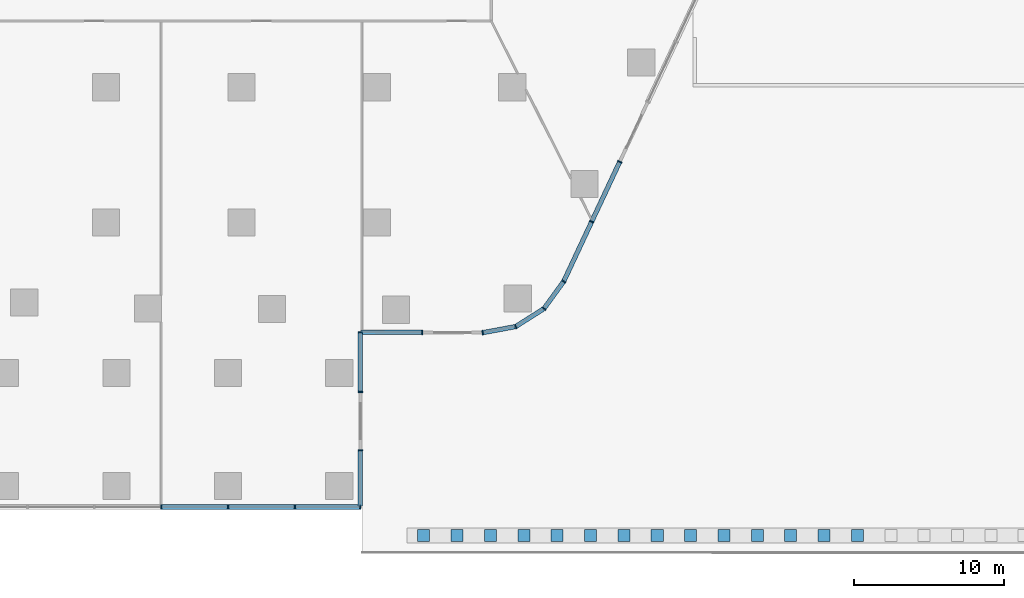
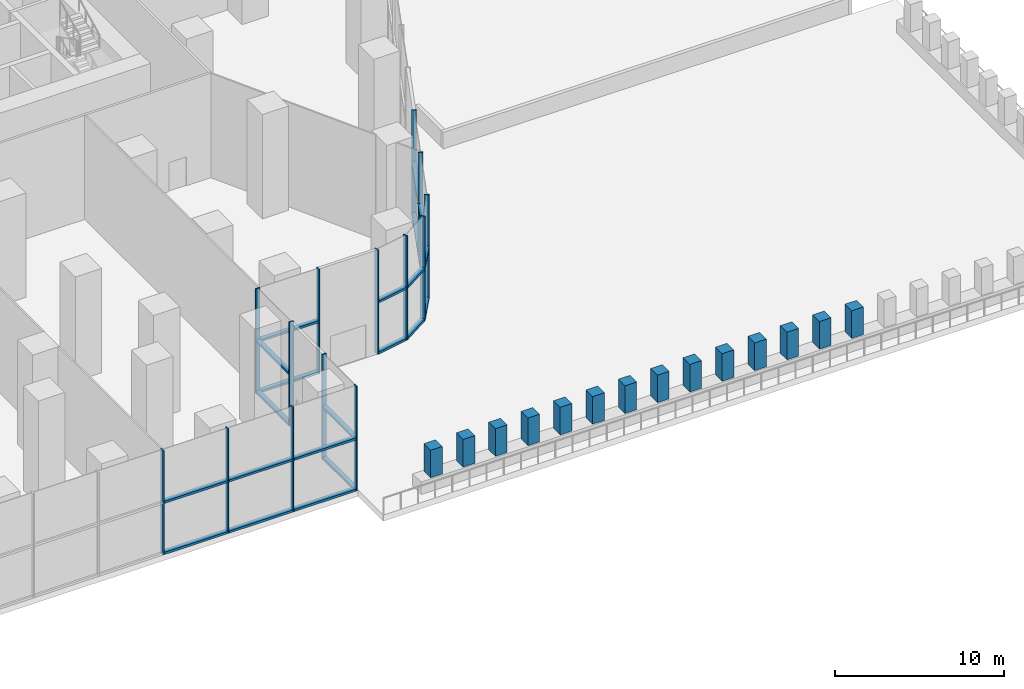
# One storey, part 4 of 22: 50 members, 6 elements without a shape of their own.
"""IFC4 building model written with IfcOpenShell, lengths in metres."""

from ifc_helpers import new_model, si_unit, direction, frame, origin, origin_2d, place, context, subcontext, project, spatial, rectangle, extrude, material, layer, layer_set, material_profile, profile_set, type_object, element, aggregate, save


model = new_model("IFC4")

# Units and contexts
model_context = context("Model", 3, precision=1e-05, world=origin(), true_north=direction((0.0, 1.0)))
body_context = subcontext(model_context, "Body", "Model", "MODEL_VIEW")
ifc_project = project(units=[si_unit("LENGTHUNIT", "METRE"), si_unit("AREAUNIT", "SQUARE_METRE"), si_unit("VOLUMEUNIT", "CUBIC_METRE"), si_unit("PLANEANGLEUNIT", "RADIAN"), si_unit("MASSUNIT", "GRAM", prefix="KILO")], contexts=[model_context])

# Site, building, storey
site_placement = place(None, origin())
site = spatial("IfcSite", under=ifc_project, at=site_placement, CompositionType="ELEMENT")
building_placement = place(site_placement, origin())
building = spatial("IfcBuilding", under=site, at=building_placement, Name="Dongbaek Canopy Tower", CompositionType="ELEMENT")
storey_placement = place(building_placement, frame((0.0, 0.0, 19.0)))
storey = spatial("IfcBuildingStorey", under=building, at=storey_placement, Name="L02", CompositionType="ELEMENT", Elevation=19.0)

# Curtain wall, members
ifc_material_1 = material(Name="Aluminium 6063-T6 pale anodised", Category="aluminium")
ifc_layer = layer(ifc_material_1, 0.300048828125)
ifc_layer_set = layer_set([ifc_layer], Name="CW-2 podium hall curtain wall")
curtain_wall_type = type_object("IfcCurtainWallType", Name="CW-2 podium hall curtain wall", PredefinedType="NOTDEFINED", material=ifc_layer_set)
curtain_wall_1_placement = place(storey_placement, origin())
curtain_wall_1 = element("IfcCurtainWall", 1, at=curtain_wall_1_placement, inside=storey, type_object=curtain_wall_type, Name="CW-2 curtain wall K0.1", PredefinedType="NOTDEFINED")
ifc_material_2 = material(Name="Aluminium 6063-T6 pale anodised", Category="aluminium")
ifc_material_profile_1 = material_profile(ifc_material_2, rectangle(XDim=0.300048828125, YDim=0.080078125, at=origin_2d()), Name="CW-2 mullion 80 x 300")
ifc_profile_set_1 = profile_set([ifc_material_profile_1], Name="Aluminium 6063-T6 pale anodised")
member_type_1 = type_object("IfcMemberType", Name="CW-2 mullion 80 x 300", PredefinedType="MULLION", material=ifc_profile_set_1)
member_1_placement = place(storey_placement, frame((16.03662109375, -34.31591796875, 0.0), z_axis=(0.0, 0.0, 1.0), x_axis=(0.184024020391, -0.98292174659, 0.0)))
member_1 = element("IfcMember", 2, at=member_1_placement, type_object=member_type_1, Name="CW-2 mullion K0.1.1", PredefinedType="MULLION", context=body_context, shape_type="SweptSolid", body=[
    extrude(rectangle(XDim=0.300048828125, YDim=0.080078125, at=origin_2d()), origin(), (0.0, 0.0, 1.0), 7.550048828125),
])
member_2_placement = place(storey_placement, frame((18.23095703125, -33.9052734375, 0.0), z_axis=(0.0, 0.0, 1.0), x_axis=(0.365922378018, -0.930645374601, 0.0)))
member_2 = element("IfcMember", 3, at=member_2_placement, type_object=member_type_1, Name="CW-2 mullion K0.1.2", PredefinedType="MULLION", context=body_context, shape_type="SweptSolid", body=[
    extrude(rectangle(XDim=0.300048828125, YDim=0.080078125, at=origin_2d()), origin(), (0.0, 0.0, 1.0), 7.550048828125),
])
member_3_placement = place(storey_placement, frame((20.10888671875, -32.716796875, 0.0), z_axis=(0.0, 0.0, 1.0), x_axis=(0.684351137635, -0.729152604342, 0.0)))
member_3 = element("IfcMember", 4, at=member_3_placement, type_object=member_type_1, Name="CW-2 mullion K0.1.3", PredefinedType="MULLION", context=body_context, shape_type="SweptSolid", body=[
    extrude(rectangle(XDim=0.300048828125, YDim=0.080078125, at=origin_2d()), origin(), (0.0, 0.0, 1.0), 7.550048828125),
])
member_4_placement = place(storey_placement, frame((21.419677734375, -30.909912109375, 0.0), z_axis=(0.0, 0.0, 1.0), x_axis=(0.809475494092, -0.587153663418, 0.0)))
member_4 = element("IfcMember", 5, at=member_4_placement, type_object=member_type_1, Name="CW-2 mullion K0.1.4", PredefinedType="MULLION", context=body_context, shape_type="SweptSolid", body=[
    extrude(rectangle(XDim=0.300048828125, YDim=0.080078125, at=origin_2d()), origin(), (0.0, 0.0, 1.0), 7.550048828125),
])

curtain_wall_2_placement = place(storey_placement, origin())
curtain_wall_2 = element("IfcCurtainWall", 6, at=curtain_wall_2_placement, inside=storey, type_object=curtain_wall_type, Name="CW-2 curtain wall F0.1", PredefinedType="NOTDEFINED")
member_5_placement = place(storey_placement, frame((23.281005859375, -26.935546875, 0.0), z_axis=(0.0, 0.0, 1.0), x_axis=(0.905604654395, -0.424122871275, 0.0)))
member_5 = element("IfcMember", 7, at=member_5_placement, type_object=member_type_1, Name="CW-2 mullion F0.1.2", PredefinedType="MULLION", context=body_context, shape_type="SweptSolid", body=[
    extrude(rectangle(XDim=0.300048828125, YDim=0.080078125, at=origin_2d()), origin(), (0.0, 0.0, 1.0), 7.550048828125),
])
member_6_placement = place(storey_placement, frame((25.146240234375, -22.95263671875, 0.0), z_axis=(0.0, 0.0, 1.0), x_axis=(0.905604654395, -0.424122871275, 0.0)))
member_6 = element("IfcMember", 8, at=member_6_placement, type_object=member_type_1, Name="CW-2 mullion F0.1.3", PredefinedType="MULLION", context=body_context, shape_type="SweptSolid", body=[
    extrude(rectangle(XDim=0.300048828125, YDim=0.080078125, at=origin_2d()), origin(), (0.0, 0.0, 1.0), 7.550048828125),
])

curtain_wall_3_placement = place(storey_placement, origin())
curtain_wall_3 = element("IfcCurtainWall", 9, at=curtain_wall_3_placement, inside=storey, type_object=curtain_wall_type, Name="CW-2 curtain wall F7.1", PredefinedType="NOTDEFINED")
member_7_placement = place(storey_placement, frame((-5.333251953125, -45.89990234375, 0.0), z_axis=(0.0, 0.0, 1.0), x_axis=(0.0, -1.0, 0.0)))
member_7 = element("IfcMember", 10, at=member_7_placement, type_object=member_type_1, Name="CW-2 mullion F7.1.7", PredefinedType="MULLION", context=body_context, shape_type="SweptSolid", body=[
    extrude(rectangle(XDim=0.300048828125, YDim=0.080078125, at=origin_2d()), origin(), (0.0, 0.0, 1.0), 7.550048828125),
])
member_8_placement = place(storey_placement, frame((-0.888916015625, -45.89990234375, 0.0), z_axis=(0.0, 0.0, 1.0), x_axis=(0.0, -1.0, 0.0)))
member_8 = element("IfcMember", 11, at=member_8_placement, type_object=member_type_1, Name="CW-2 mullion F7.1.8", PredefinedType="MULLION", context=body_context, shape_type="SweptSolid", body=[
    extrude(rectangle(XDim=0.300048828125, YDim=0.080078125, at=origin_2d()), origin(), (0.0, 0.0, 1.0), 7.550048828125),
])
member_9_placement = place(storey_placement, frame((3.5556640625, -45.89990234375, 0.0), z_axis=(0.0, 0.0, 1.0), x_axis=(0.0, -1.0, 0.0)))
member_9 = element("IfcMember", 12, at=member_9_placement, type_object=member_type_1, Name="CW-2 mullion F7.1.9", PredefinedType="MULLION", context=body_context, shape_type="SweptSolid", body=[
    extrude(rectangle(XDim=0.300048828125, YDim=0.080078125, at=origin_2d()), origin(), (0.0, 0.0, 1.0), 7.550048828125),
])
member_10_placement = place(storey_placement, frame((7.89990234375, -45.89990234375, 0.0), z_axis=(0.0, 0.0, 1.0), x_axis=(0.0, -1.0, 0.0)))
member_10 = element("IfcMember", 13, at=member_10_placement, type_object=member_type_1, Name="CW-2 mullion F7.1.10", PredefinedType="MULLION", context=body_context, shape_type="SweptSolid", body=[
    extrude(rectangle(XDim=0.300048828125, YDim=0.080078125, at=origin_2d()), origin(), (0.0, 0.0, 1.0), 7.550048828125),
])

# Curtain wall, member
curtain_wall_4_placement = place(storey_placement, origin())
curtain_wall_4 = element("IfcCurtainWall", 14, at=curtain_wall_4_placement, inside=storey, type_object=curtain_wall_type, Name="CW-2 curtain wall F8.1", PredefinedType="NOTDEFINED")
member_11_placement = place(storey_placement, frame((7.89990234375, -42.126708984375, 0.0), z_axis=(0.0, 0.0, 1.0), x_axis=(1.0, 0.0, 0.0)))
member_11 = element("IfcMember", 15, at=member_11_placement, type_object=member_type_1, Name="CW-2 mullion F8.1.2", PredefinedType="MULLION", context=body_context, shape_type="SweptSolid", body=[
    extrude(rectangle(XDim=0.300048828125, YDim=0.080078125, at=origin_2d()), origin(), (0.0, 0.0, 1.0), 7.550048828125),
])

# Curtain wall, members
curtain_wall_5_placement = place(storey_placement, origin())
curtain_wall_5 = element("IfcCurtainWall", 16, at=curtain_wall_5_placement, inside=storey, type_object=curtain_wall_type, Name="CW-2 curtain wall F8.2", PredefinedType="NOTDEFINED")
member_12_placement = place(storey_placement, frame((7.89990234375, -38.25341796875, 0.0), z_axis=(0.0, 0.0, 1.0), x_axis=(1.0, 0.0, 0.0)))
member_12 = element("IfcMember", 17, at=member_12_placement, type_object=member_type_1, Name="CW-2 mullion F8.2.1", PredefinedType="MULLION", context=body_context, shape_type="SweptSolid", body=[
    extrude(rectangle(XDim=0.300048828125, YDim=0.080078125, at=origin_2d()), origin(), (0.0, 0.0, 1.0), 7.550048828125),
])
member_13_placement = place(storey_placement, frame((7.89990234375, -34.27978515625, 0.0), z_axis=(0.0, 0.0, 1.0), x_axis=(1.0, 0.0, 0.0)))
member_13 = element("IfcMember", 18, at=member_13_placement, type_object=member_type_1, Name="CW-2 mullion F8.2.2", PredefinedType="MULLION", context=body_context, shape_type="SweptSolid", body=[
    extrude(rectangle(XDim=0.300048828125, YDim=0.080078125, at=origin_2d()), origin(), (0.0, 0.0, 1.0), 7.550048828125),
])

# Curtain wall, member
curtain_wall_6_placement = place(storey_placement, origin())
curtain_wall_6 = element("IfcCurtainWall", 19, at=curtain_wall_6_placement, inside=storey, type_object=curtain_wall_type, Name="CW-2 curtain wall F9.1", PredefinedType="NOTDEFINED")
member_14_placement = place(storey_placement, frame((12.0234375, -34.298095703125, 0.0), z_axis=(0.0, 0.0, 1.0), x_axis=(-0.004466151006, -0.999990026698, 0.0)))
member_14 = element("IfcMember", 20, at=member_14_placement, type_object=member_type_1, Name="CW-2 mullion F9.1.2", PredefinedType="MULLION", context=body_context, shape_type="SweptSolid", body=[
    extrude(rectangle(XDim=0.300048828125, YDim=0.080078125, at=origin_2d()), origin(), (0.0, 0.0, 1.0), 7.550048828125),
])

# Member
ifc_material_3 = material(Name="Aluminium 6063-T6 pale anodised", Category="aluminium")
ifc_material_profile_2 = material_profile(ifc_material_3, rectangle(XDim=0.300048828125, YDim=0.159912109375, at=origin_2d()), Name="CW-2 transom 160 x 300")
ifc_profile_set_2 = profile_set([ifc_material_profile_2], Name="Aluminium 6063-T6 pale anodised")
member_type_2 = type_object("IfcMemberType", Name="CW-2 transom 160 x 300", PredefinedType="USERDEFINED", material=ifc_profile_set_2)
member_15_placement = place(storey_placement, frame((16.087890625, -34.306396484375, 0.080078125), z_axis=(0.982924096729, 0.184011467221, 0.0), x_axis=(-0.184011467221, 0.982924096729, 0.0)))
member_15 = element("IfcMember", 21, at=member_15_placement, type_object=member_type_2, Name="CW-2 transom K0.1.1.1", ObjectType="TRANSOM", PredefinedType="USERDEFINED", context=body_context, shape_type="SweptSolid", body=[
    extrude(rectangle(XDim=0.300048828125, YDim=0.159912109375, at=origin_2d()), origin(), (0.0, 0.0, 1.0), 2.128173828125),
])

member_16_placement = place(storey_placement, frame((16.087890625, -34.306396484375, 3.77490234375), z_axis=(0.982924096729, 0.184011467221, 0.0), x_axis=(-0.184011467221, 0.982924096729, 0.0)))
member_16 = element("IfcMember", 22, at=member_16_placement, type_object=member_type_2, Name="CW-2 transom K0.1.1.2", ObjectType="TRANSOM", PredefinedType="USERDEFINED", context=body_context, shape_type="SweptSolid", body=[
    extrude(rectangle(XDim=0.300048828125, YDim=0.159912109375, at=origin_2d()), origin(), (0.0, 0.0, 1.0), 2.128173828125),
])

member_17_placement = place(storey_placement, frame((18.27490234375, -33.87744140625, 0.080078125), z_axis=(0.845006566242, 0.534755928446, 0.0), x_axis=(-0.534755928446, 0.845006566242, 0.0)))
member_17 = element("IfcMember", 23, at=member_17_placement, type_object=member_type_2, Name="CW-2 transom K0.1.2.1", ObjectType="TRANSOM", PredefinedType="USERDEFINED", context=body_context, shape_type="SweptSolid", body=[
    extrude(rectangle(XDim=0.300048828125, YDim=0.159912109375, at=origin_2d()), origin(), (0.0, 0.0, 1.0), 2.118408203125),
])

member_18_placement = place(storey_placement, frame((18.27490234375, -33.87744140625, 3.77490234375), z_axis=(0.845006566242, 0.534755928446, 0.0), x_axis=(-0.534755928446, 0.845006566242, 0.0)))
member_18 = element("IfcMember", 24, at=member_18_placement, type_object=member_type_2, Name="CW-2 transom K0.1.2.2", ObjectType="TRANSOM", PredefinedType="USERDEFINED", context=body_context, shape_type="SweptSolid", body=[
    extrude(rectangle(XDim=0.300048828125, YDim=0.159912109375, at=origin_2d()), origin(), (0.0, 0.0, 1.0), 2.118408203125),
])

member_19_placement = place(storey_placement, frame((20.1396484375, -32.6748046875, 0.080078125), z_axis=(0.587093507352, 0.809519124928, 0.0), x_axis=(-0.809519124928, 0.587093507352, 0.0)))
member_19 = element("IfcMember", 25, at=member_19_placement, type_object=member_type_2, Name="CW-2 transom K0.1.3.1", ObjectType="TRANSOM", PredefinedType="USERDEFINED", context=body_context, shape_type="SweptSolid", body=[
    extrude(rectangle(XDim=0.300048828125, YDim=0.159912109375, at=origin_2d()), origin(), (0.0, 0.0, 1.0), 2.12841796875),
])

member_20_placement = place(storey_placement, frame((20.1396484375, -32.6748046875, 3.77490234375), z_axis=(0.587093507352, 0.809519124928, 0.0), x_axis=(-0.809519124928, 0.587093507352, 0.0)))
member_20 = element("IfcMember", 26, at=member_20_placement, type_object=member_type_2, Name="CW-2 transom K0.1.3.2", ObjectType="TRANSOM", PredefinedType="USERDEFINED", context=body_context, shape_type="SweptSolid", body=[
    extrude(rectangle(XDim=0.300048828125, YDim=0.159912109375, at=origin_2d()), origin(), (0.0, 0.0, 1.0), 2.12841796875),
])

aggregate(curtain_wall_1, [member_1, member_2, member_3, member_4, member_15, member_16, member_17, member_18, member_19, member_20])

member_21_placement = place(storey_placement, frame((21.441650390625, -30.86279296875, 0.080078125), z_axis=(0.424114132292, 0.905608747081, 0.0), x_axis=(-0.905608747081, 0.424114132292, 0.0)))
member_21 = element("IfcMember", 27, at=member_21_placement, type_object=member_type_2, Name="CW-2 transom F0.1.1.1", ObjectType="TRANSOM", PredefinedType="USERDEFINED", context=body_context, shape_type="SweptSolid", body=[
    extrude(rectangle(XDim=0.300048828125, YDim=0.159912109375, at=origin_2d()), origin(), (0.0, 0.0, 1.0), 4.28466796875),
])

member_22_placement = place(storey_placement, frame((21.441650390625, -30.86279296875, 3.77490234375), z_axis=(0.424114132292, 0.905608747081, 0.0), x_axis=(-0.905608747081, 0.424114132292, 0.0)))
member_22 = element("IfcMember", 28, at=member_22_placement, type_object=member_type_2, Name="CW-2 transom F0.1.1.2", ObjectType="TRANSOM", PredefinedType="USERDEFINED", context=body_context, shape_type="SweptSolid", body=[
    extrude(rectangle(XDim=0.300048828125, YDim=0.159912109375, at=origin_2d()), origin(), (0.0, 0.0, 1.0), 4.28466796875),
])

member_23_placement = place(storey_placement, frame((23.302978515625, -26.888427734375, 0.080078125), z_axis=(0.424142520697, 0.905595451698, 0.0), x_axis=(-0.905595451698, 0.424142520697, 0.0)))
member_23 = element("IfcMember", 29, at=member_23_placement, type_object=member_type_2, Name="CW-2 transom F0.1.2.1", ObjectType="TRANSOM", PredefinedType="USERDEFINED", context=body_context, shape_type="SweptSolid", body=[
    extrude(rectangle(XDim=0.300048828125, YDim=0.159912109375, at=origin_2d()), origin(), (0.0, 0.0, 1.0), 4.2939453125),
])

member_24_placement = place(storey_placement, frame((23.302978515625, -26.888427734375, 3.77490234375), z_axis=(0.424142520697, 0.905595451698, 0.0), x_axis=(-0.905595451698, 0.424142520697, 0.0)))
member_24 = element("IfcMember", 30, at=member_24_placement, type_object=member_type_2, Name="CW-2 transom F0.1.2.2", ObjectType="TRANSOM", PredefinedType="USERDEFINED", context=body_context, shape_type="SweptSolid", body=[
    extrude(rectangle(XDim=0.300048828125, YDim=0.159912109375, at=origin_2d()), origin(), (0.0, 0.0, 1.0), 4.2939453125),
])

aggregate(curtain_wall_2, [member_5, member_6, member_21, member_22, member_23, member_24])

member_25_placement = place(storey_placement, frame((-5.28125, -45.89990234375, 0.080078125), z_axis=(1.0, 0.0, 0.0), x_axis=(0.0, 1.0, 0.0)))
member_25 = element("IfcMember", 31, at=member_25_placement, type_object=member_type_2, Name="CW-2 transom F7.1.7.1", ObjectType="TRANSOM", PredefinedType="USERDEFINED", context=body_context, shape_type="SweptSolid", body=[
    extrude(rectangle(XDim=0.300048828125, YDim=0.159912109375, at=origin_2d()), origin(), (0.0, 0.0, 1.0), 4.34033203125),
])

member_26_placement = place(storey_placement, frame((-5.28125, -45.89990234375, 3.77490234375), z_axis=(1.0, 0.0, 0.0), x_axis=(0.0, 1.0, 0.0)))
member_26 = element("IfcMember", 32, at=member_26_placement, type_object=member_type_2, Name="CW-2 transom F7.1.7.2", ObjectType="TRANSOM", PredefinedType="USERDEFINED", context=body_context, shape_type="SweptSolid", body=[
    extrude(rectangle(XDim=0.300048828125, YDim=0.159912109375, at=origin_2d()), origin(), (0.0, 0.0, 1.0), 4.34033203125),
])

member_27_placement = place(storey_placement, frame((-0.8369140625, -45.89990234375, 0.080078125), z_axis=(1.0, 0.0, 0.0), x_axis=(0.0, 1.0, 0.0)))
member_27 = element("IfcMember", 33, at=member_27_placement, type_object=member_type_2, Name="CW-2 transom F7.1.8.1", ObjectType="TRANSOM", PredefinedType="USERDEFINED", context=body_context, shape_type="SweptSolid", body=[
    extrude(rectangle(XDim=0.300048828125, YDim=0.159912109375, at=origin_2d()), origin(), (0.0, 0.0, 1.0), 4.340576171875),
])

member_28_placement = place(storey_placement, frame((-0.8369140625, -45.89990234375, 3.77490234375), z_axis=(1.0, 0.0, 0.0), x_axis=(0.0, 1.0, 0.0)))
member_28 = element("IfcMember", 34, at=member_28_placement, type_object=member_type_2, Name="CW-2 transom F7.1.8.2", ObjectType="TRANSOM", PredefinedType="USERDEFINED", context=body_context, shape_type="SweptSolid", body=[
    extrude(rectangle(XDim=0.300048828125, YDim=0.159912109375, at=origin_2d()), origin(), (0.0, 0.0, 1.0), 4.340576171875),
])

member_29_placement = place(storey_placement, frame((3.607666015625, -45.89990234375, 0.080078125), z_axis=(1.0, 0.0, 0.0), x_axis=(0.0, 1.0, 0.0)))
member_29 = element("IfcMember", 35, at=member_29_placement, type_object=member_type_2, Name="CW-2 transom F7.1.9.1", ObjectType="TRANSOM", PredefinedType="USERDEFINED", context=body_context, shape_type="SweptSolid", body=[
    extrude(rectangle(XDim=0.300048828125, YDim=0.159912109375, at=origin_2d()), origin(), (0.0, 0.0, 1.0), 4.240234375),
])

member_30_placement = place(storey_placement, frame((3.607666015625, -45.89990234375, 3.77490234375), z_axis=(1.0, 0.0, 0.0), x_axis=(0.0, 1.0, 0.0)))
member_30 = element("IfcMember", 36, at=member_30_placement, type_object=member_type_2, Name="CW-2 transom F7.1.9.2", ObjectType="TRANSOM", PredefinedType="USERDEFINED", context=body_context, shape_type="SweptSolid", body=[
    extrude(rectangle(XDim=0.300048828125, YDim=0.159912109375, at=origin_2d()), origin(), (0.0, 0.0, 1.0), 4.240234375),
])

aggregate(curtain_wall_3, [member_7, member_8, member_9, member_10, member_25, member_26, member_27, member_28, member_29, member_30])

member_31_placement = place(storey_placement, frame((7.89990234375, -45.847900390625, 0.080078125), z_axis=(0.0, 1.0, 0.0), x_axis=(-1.0, 0.0, 0.0)))
member_31 = element("IfcMember", 37, at=member_31_placement, type_object=member_type_2, Name="CW-2 transom F8.1.1.1", ObjectType="TRANSOM", PredefinedType="USERDEFINED", context=body_context, shape_type="SweptSolid", body=[
    extrude(rectangle(XDim=0.300048828125, YDim=0.159912109375, at=origin_2d()), origin(), (0.0, 0.0, 1.0), 3.669189453125),
])

member_32_placement = place(storey_placement, frame((7.89990234375, -45.847900390625, 3.77490234375), z_axis=(0.0, 1.0, 0.0), x_axis=(-1.0, 0.0, 0.0)))
member_32 = element("IfcMember", 38, at=member_32_placement, type_object=member_type_2, Name="CW-2 transom F8.1.1.2", ObjectType="TRANSOM", PredefinedType="USERDEFINED", context=body_context, shape_type="SweptSolid", body=[
    extrude(rectangle(XDim=0.300048828125, YDim=0.159912109375, at=origin_2d()), origin(), (0.0, 0.0, 1.0), 3.669189453125),
])

aggregate(curtain_wall_4, [member_11, member_31, member_32])

member_33_placement = place(storey_placement, frame((7.89990234375, -38.201416015625, 0.080078125), z_axis=(0.0, 1.0, 0.0), x_axis=(-1.0, 0.0, 0.0)))
member_33 = element("IfcMember", 39, at=member_33_placement, type_object=member_type_2, Name="CW-2 transom F8.2.1.1", ObjectType="TRANSOM", PredefinedType="USERDEFINED", context=body_context, shape_type="SweptSolid", body=[
    extrude(rectangle(XDim=0.300048828125, YDim=0.159912109375, at=origin_2d()), origin(), (0.0, 0.0, 1.0), 3.869873046875),
])

member_34_placement = place(storey_placement, frame((7.89990234375, -38.201416015625, 3.77490234375), z_axis=(0.0, 1.0, 0.0), x_axis=(-1.0, 0.0, 0.0)))
member_34 = element("IfcMember", 40, at=member_34_placement, type_object=member_type_2, Name="CW-2 transom F8.2.1.2", ObjectType="TRANSOM", PredefinedType="USERDEFINED", context=body_context, shape_type="SweptSolid", body=[
    extrude(rectangle(XDim=0.300048828125, YDim=0.159912109375, at=origin_2d()), origin(), (0.0, 0.0, 1.0), 3.869873046875),
])

aggregate(curtain_wall_5, [member_12, member_13, member_33, member_34])

member_35_placement = place(storey_placement, frame((7.951904296875, -34.27978515625, 0.080078125), z_axis=(0.999989899191, -0.004494609605, 0.0), x_axis=(0.004494609605, 0.999989899191, 0.0)))
member_35 = element("IfcMember", 41, at=member_35_placement, type_object=member_type_2, Name="CW-2 transom F9.1.1.1", ObjectType="TRANSOM", PredefinedType="USERDEFINED", context=body_context, shape_type="SweptSolid", body=[
    extrude(rectangle(XDim=0.300048828125, YDim=0.159912109375, at=origin_2d()), origin(), (0.0, 0.0, 1.0), 4.01953125),
])

member_36_placement = place(storey_placement, frame((7.951904296875, -34.27978515625, 3.77490234375), z_axis=(0.999989899191, -0.004494609605, 0.0), x_axis=(0.004494609605, 0.999989899191, 0.0)))
member_36 = element("IfcMember", 42, at=member_36_placement, type_object=member_type_2, Name="CW-2 transom F9.1.1.2", ObjectType="TRANSOM", PredefinedType="USERDEFINED", context=body_context, shape_type="SweptSolid", body=[
    extrude(rectangle(XDim=0.300048828125, YDim=0.159912109375, at=origin_2d()), origin(), (0.0, 0.0, 1.0), 4.01953125),
])

aggregate(curtain_wall_6, [member_14, member_35, member_36])

# Members
ifc_material_4 = material(Name="Concrete C40/50 planter mass with planting", Category="concrete")
ifc_material_profile_3 = material_profile(ifc_material_4, rectangle(XDim=0.800048828125, YDim=0.800048828125, at=origin_2d()), Name="Shrub planting 800 x 800 x 2000")
ifc_profile_set_3 = profile_set([ifc_material_profile_3], Name="Concrete C40/50 planter mass with planting")
member_type_3 = type_object("IfcMemberType", Name="Shrub planting 800 x 800 x 2000", PredefinedType="USERDEFINED", material=ifc_profile_set_3)
for number, where, z_axis, x_axis, name in (
    (43, (40.942138671875, -47.784423828125, 0.89990234375), (0.0, 0.0, 1.0), (1.0, 0.0, 0.0), "Podium shrub planting 76"),
    (44, (38.724853515625, -47.7841796875, 0.89990234375), (0.0, 0.0, 1.0), (1.0, 0.0, 0.0), "Podium shrub planting 77"),
    (45, (36.50732421875, -47.7841796875, 0.89990234375), (0.0, 0.0, 1.0), (1.0, 0.0, 0.0), "Podium shrub planting 78"),
    (46, (34.2900390625, -47.783935546875, 0.89990234375), (0.0, 0.0, 1.0), (1.0, 0.0, 0.0), "Podium shrub planting 79"),
    (47, (32.07275390625, -47.78369140625, 0.89990234375), (0.0, 0.0, 1.0), (1.0, 0.0, 0.0), "Podium shrub planting 80"),
    (48, (29.855224609375, -47.783447265625, 0.89990234375), (0.0, 0.0, 1.0), (1.0, 0.0, 0.0), "Podium shrub planting 81"),
    (49, (27.637939453125, -47.783203125, 0.89990234375), (0.0, 0.0, 1.0), (1.0, 0.0, 0.0), "Podium shrub planting 82"),
    (50, (25.420654296875, -47.783203125, 0.89990234375), (0.0, 0.0, 1.0), (1.0, 0.0, 0.0), "Podium shrub planting 83"),
    (51, (23.203125, -47.782958984375, 0.89990234375), (0.0, 0.0, 1.0), (1.0, 0.0, 0.0), "Podium shrub planting 84"),
    (52, (20.98583984375, -47.78271484375, 0.89990234375), (0.0, 0.0, 1.0), (1.0, 0.0, 0.0), "Podium shrub planting 85"),
    (53, (18.7685546875, -47.782470703125, 0.89990234375), (0.0, 0.0, 1.0), (1.0, 0.0, 0.0), "Podium shrub planting 86"),
    (54, (16.551025390625, -47.7822265625, 0.89990234375), (0.0, 0.0, 1.0), (1.0, 0.0, 0.0), "Podium shrub planting 87"),
    (55, (14.333740234375, -47.7822265625, 0.89990234375), (0.0, 0.0, 1.0), (1.0, 0.0, 0.0), "Podium shrub planting 88"),
    (56, (12.1162109375, -47.781982421875, 0.89990234375), (0.0, 0.0, 1.0), (1.0, 0.0, 0.0), "Podium shrub planting 89"),
):
    element("IfcMember", number, at=place(storey_placement, frame(where, z_axis=z_axis, x_axis=x_axis)), inside=storey, type_object=member_type_3, Name=name, ObjectType="PLANTING", PredefinedType="USERDEFINED", context=body_context, shape_type="SweptSolid", body=[
        extrude(rectangle(XDim=0.800048828125, YDim=0.800048828125, at=origin_2d()), origin(), (0.0, 0.0, 1.0), 2.0),
    ])

save(model, "model.ifc")
